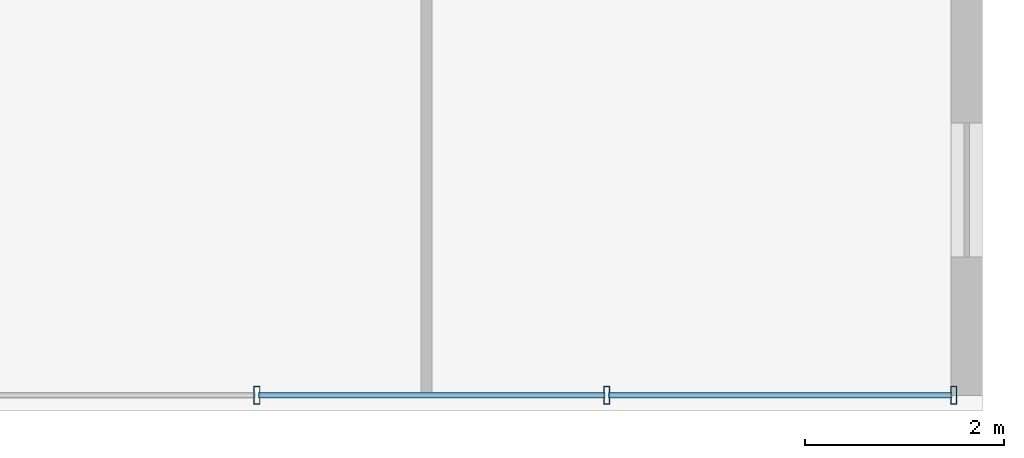
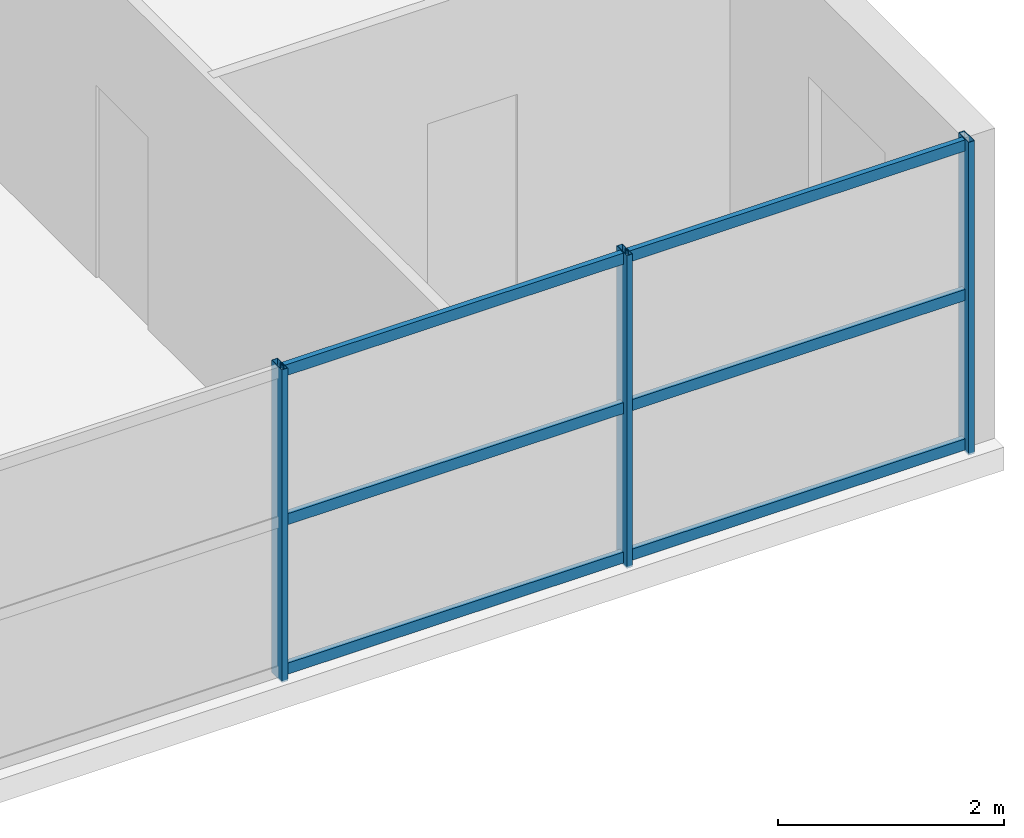
# One storey, part 5 of 15: 9 members, 1 element without a shape of its own.
"""IFC4 building model written with IfcOpenShell, lengths in metres."""

from ifc_helpers import new_model, si_unit, direction, frame, origin, origin_2d, place, context, subcontext, project, spatial, hollow_rectangle, extrude, source, transform, mapped, material, material_profile, profile_set, type_object, element, aggregate, save


model = new_model("IFC4")

# Units and contexts
model_context = context("Model", 3, precision=1e-05, world=origin(), true_north=direction((0.0, 1.0)))
body_context = subcontext(model_context, "Body", "Model", "MODEL_VIEW")
ifc_project = project(units=[si_unit("LENGTHUNIT", "METRE"), si_unit("AREAUNIT", "SQUARE_METRE"), si_unit("VOLUMEUNIT", "CUBIC_METRE"), si_unit("PLANEANGLEUNIT", "RADIAN"), si_unit("MASSUNIT", "GRAM", prefix="KILO")], contexts=[model_context])

# Site, building, storey
site_placement = place(None, origin())
site = spatial("IfcSite", under=ifc_project, at=site_placement, CompositionType="ELEMENT")
building_placement = place(site_placement, origin())
building = spatial("IfcBuilding", under=site, at=building_placement, Name="Tlacorven Tower", CompositionType="ELEMENT")
storey_placement = place(building_placement, frame((0.0, 0.0, 266.39990234375)))
storey = spatial("IfcBuildingStorey", under=building, at=storey_placement, Name="L67", CompositionType="ELEMENT", Elevation=266.39990234375)

# Curtain wall, members
ifc_material_1 = material(Name="Dark solar low-E double glazing in aluminium frame", Category="aluminium")
curtain_wall_type = type_object("IfcCurtainWallType", Name="CW-TWR-HIGH", PredefinedType="USERDEFINED", material=ifc_material_1)
curtain_wall_placement = place(storey_placement, origin())
curtain_wall = element("IfcCurtainWall", 1, at=curtain_wall_placement, inside=storey, type_object=curtain_wall_type, Name="L67 CW-TWR-HIGH Curtain Wall 309", ObjectType="UNITISED CURTAIN WALL", PredefinedType="USERDEFINED")
ifc_material_2 = material(Name="Aluminium 6063-T6 anodised", Category="aluminium")
ifc_material_profile_1 = material_profile(ifc_material_2, hollow_rectangle(XDim=0.06005859375, YDim=0.179931640625, WallThickness=0.00390625, at=origin_2d()), Name="ALU MULLION 60X180")
ifc_profile_set_1 = profile_set([ifc_material_profile_1], Name="Aluminium 6063-T6 anodised")
member_type_1 = type_object("IfcMemberType", Name="CWM-03", PredefinedType="MULLION", material=ifc_profile_set_1)
shared_shape_1 = source(origin(), body_context, "Body", "SweptSolid", [
    extrude(hollow_rectangle(XDim=0.06005859375, YDim=0.179931640625, WallThickness=0.00390625, at=origin_2d()), origin(), (0.0, 0.0, 1.0), 3.380126953125),
])
member_1_placement = place(storey_placement, frame((43.909912109375, 1.9599609375, -0.02001953125), z_axis=(0.0, 0.0, 1.0), x_axis=(-1.0, 0.0, 0.0)))
member_1 = element("IfcMember", 2, at=member_1_placement, type_object=member_type_1, Name="CW-L67-309 Mullion 1", PredefinedType="MULLION", context=body_context, shape_type="MappedRepresentation", body=[
    mapped(shared_shape_1, transform((0.0, 0.0, 0.0), scale=1.0)),
])
member_2_placement = place(storey_placement, frame((40.41552734375, 1.9599609375, -0.02001953125), z_axis=(0.0, 0.0, 1.0), x_axis=(-1.0, 0.0, 0.0)))
member_2 = element("IfcMember", 3, at=member_2_placement, type_object=member_type_1, Name="CW-L67-309 Mullion 2", PredefinedType="MULLION", context=body_context, shape_type="MappedRepresentation", body=[
    mapped(shared_shape_1, transform((0.0, 0.0, 0.0), scale=1.0)),
])
member_3_placement = place(storey_placement, frame((36.890869140625, 1.9599609375, -0.02001953125), z_axis=(0.0, 0.0, 1.0), x_axis=(-1.0, 0.0, 0.0)))
member_3 = element("IfcMember", 4, at=member_3_placement, type_object=member_type_1, Name="CW-L67-309 Mullion 3", PredefinedType="MULLION", context=body_context, shape_type="MappedRepresentation", body=[
    mapped(shared_shape_1, transform((0.0, 0.0, 0.0), scale=1.0)),
])
ifc_material_profile_2 = material_profile(ifc_material_2, hollow_rectangle(XDim=0.054931640625, YDim=0.1201171875, WallThickness=0.00341796875, at=origin_2d()), Name="ALU TRANSOM 55X120")
ifc_profile_set_2 = profile_set([ifc_material_profile_2], Name="Aluminium 6063-T6 anodised")
member_type_2 = type_object("IfcMemberType", Name="CWT-03", PredefinedType="USERDEFINED", material=ifc_profile_set_2)
shared_shape_2 = source(origin(), body_context, "Body", "SweptSolid", [
    extrude(hollow_rectangle(XDim=0.054931640625, YDim=0.1201171875, WallThickness=0.00341796875, at=origin_2d()), origin(), (0.0, 0.0, 1.0), 3.458740234375),
])
member_4_placement = place(storey_placement, frame((43.89208984375, 1.9599609375, 0.06005859375), z_axis=(-1.0, 0.0, 0.0), x_axis=(0.0, -1.0, 0.0)))
member_4 = element("IfcMember", 5, at=member_4_placement, type_object=member_type_2, Name="CW-L67-309 Transom 1", ObjectType="TRANSOM", PredefinedType="USERDEFINED", context=body_context, shape_type="MappedRepresentation", body=[
    mapped(shared_shape_2, transform((0.0, 0.0, 0.0), scale=1.0)),
])
member_5_placement = place(storey_placement, frame((43.89208984375, 1.9599609375, 1.675048828125), z_axis=(-1.0, 0.0, 0.0), x_axis=(0.0, -1.0, 0.0)))
member_5 = element("IfcMember", 6, at=member_5_placement, type_object=member_type_2, Name="CW-L67-309 Transom 2", ObjectType="TRANSOM", PredefinedType="USERDEFINED", context=body_context, shape_type="MappedRepresentation", body=[
    mapped(shared_shape_2, transform((0.0, 0.0, 0.0), scale=1.0)),
])
member_6_placement = place(storey_placement, frame((43.89208984375, 1.9599609375, 3.2900390625), z_axis=(-1.0, 0.0, 0.0), x_axis=(0.0, -1.0, 0.0)))
member_6 = element("IfcMember", 7, at=member_6_placement, type_object=member_type_2, Name="CW-L67-309 Transom 3", ObjectType="TRANSOM", PredefinedType="USERDEFINED", context=body_context, shape_type="MappedRepresentation", body=[
    mapped(shared_shape_2, transform((0.0, 0.0, 0.0), scale=1.0)),
])
shared_shape_3 = source(origin(), body_context, "Body", "SweptSolid", [
    extrude(hollow_rectangle(XDim=0.054931640625, YDim=0.1201171875, WallThickness=0.00341796875, at=origin_2d()), origin(), (0.0, 0.0, 1.0), 3.488525390625),
])
member_7_placement = place(storey_placement, frame((40.3974609375, 1.9599609375, 0.06005859375), z_axis=(-1.0, 0.0, 0.0), x_axis=(0.0, -1.0, 0.0)))
member_7 = element("IfcMember", 8, at=member_7_placement, type_object=member_type_2, Name="CW-L67-309 Transom 4", ObjectType="TRANSOM", PredefinedType="USERDEFINED", context=body_context, shape_type="MappedRepresentation", body=[
    mapped(shared_shape_3, transform((0.0, 0.0, 0.0), scale=1.0)),
])
member_8_placement = place(storey_placement, frame((40.3974609375, 1.9599609375, 1.675048828125), z_axis=(-1.0, 0.0, 0.0), x_axis=(0.0, -1.0, 0.0)))
member_8 = element("IfcMember", 9, at=member_8_placement, type_object=member_type_2, Name="CW-L67-309 Transom 5", ObjectType="TRANSOM", PredefinedType="USERDEFINED", context=body_context, shape_type="MappedRepresentation", body=[
    mapped(shared_shape_3, transform((0.0, 0.0, 0.0), scale=1.0)),
])
member_9_placement = place(storey_placement, frame((40.3974609375, 1.9599609375, 3.2900390625), z_axis=(-1.0, 0.0, 0.0), x_axis=(0.0, -1.0, 0.0)))
member_9 = element("IfcMember", 10, at=member_9_placement, type_object=member_type_2, Name="CW-L67-309 Transom 6", ObjectType="TRANSOM", PredefinedType="USERDEFINED", context=body_context, shape_type="MappedRepresentation", body=[
    mapped(shared_shape_3, transform((0.0, 0.0, 0.0), scale=1.0)),
])
aggregate(curtain_wall, [member_1, member_2, member_3, member_4, member_5, member_6, member_7, member_8, member_9])

save(model, "model.ifc")
